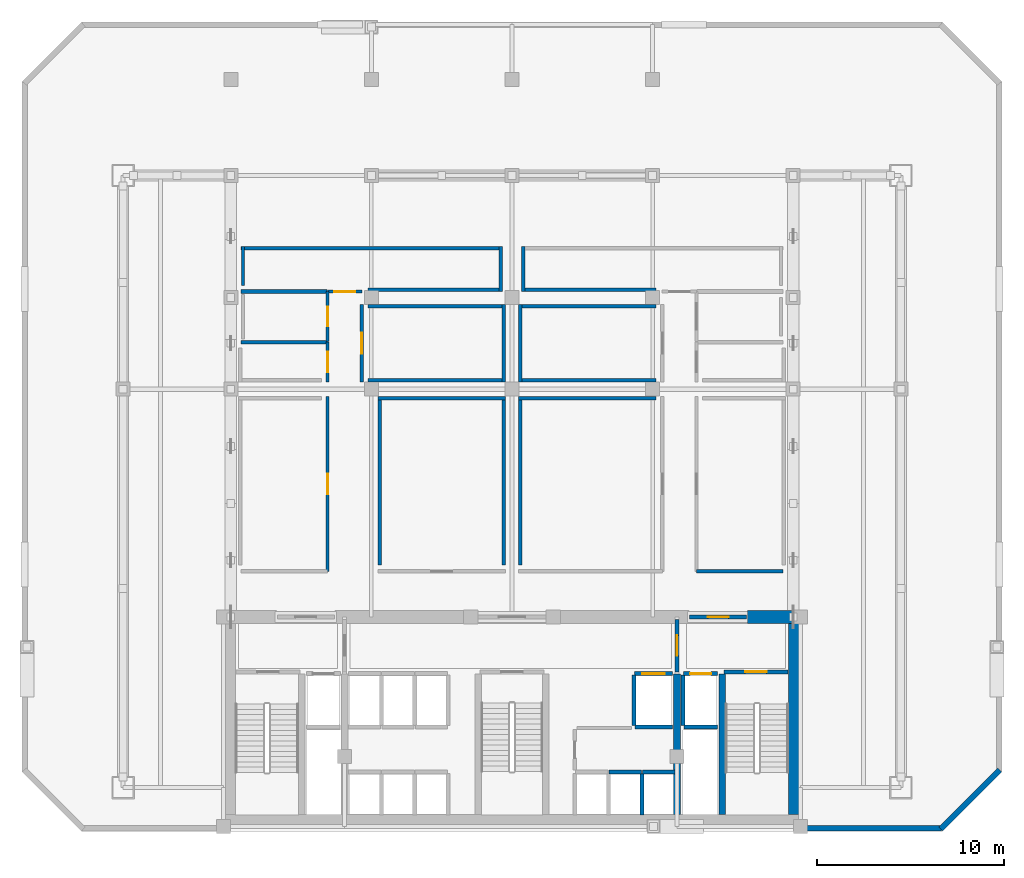
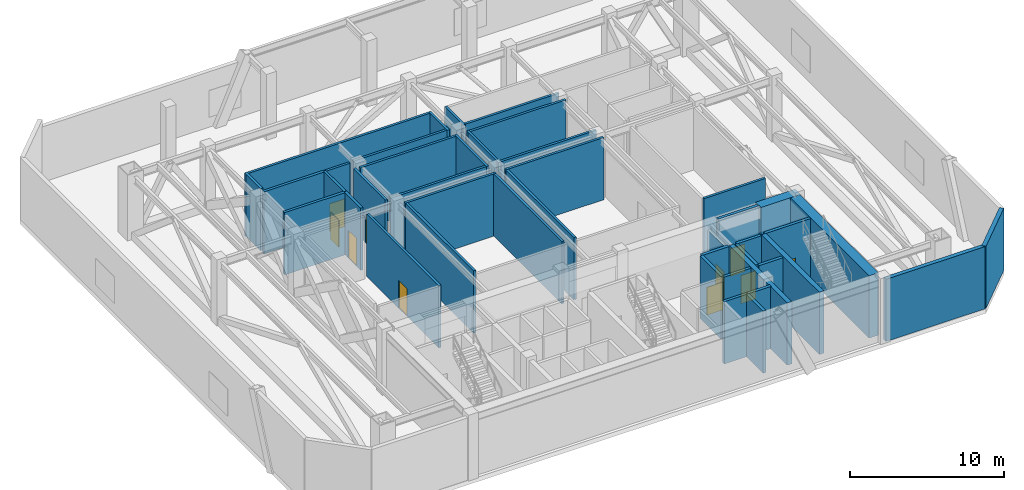
# One storey, part 6 of 10: 43 walls, 10 doors, 10 openings.
"""IFC4 building model written with IfcOpenShell, lengths in metres."""

from ifc_helpers import new_model, si_unit, direction, frame, frame_2d, origin, place, context, subcontext, project, spatial, rectangle, extrude, material, layer, layer_set, type_object, element, fill, save


model = new_model("IFC4")

# Units and contexts
model_context = context("Model", 3, precision=1e-05, world=origin(), true_north=direction((0.0, 1.0)))
body_context = subcontext(model_context, "Body", "Model", "MODEL_VIEW")
ifc_project = project(units=[si_unit("LENGTHUNIT", "METRE"), si_unit("AREAUNIT", "SQUARE_METRE"), si_unit("VOLUMEUNIT", "CUBIC_METRE"), si_unit("PLANEANGLEUNIT", "RADIAN"), si_unit("MASSUNIT", "GRAM", prefix="KILO")], contexts=[model_context])

# Site, building, storey
site_placement = place(None, origin())
site = spatial("IfcSite", under=ifc_project, at=site_placement, CompositionType="ELEMENT")
building_placement = place(site_placement, origin())
building = spatial("IfcBuilding", under=site, at=building_placement, Name="Ventersveld Concourse Tower", CompositionType="ELEMENT")
storey_placement = place(building_placement, frame((0.0, 0.0, 134.949951171875)))
storey = spatial("IfcBuildingStorey", under=building, at=storey_placement, Name="L33", CompositionType="ELEMENT", Elevation=134.949951171875)

# Walls
ifc_material_1 = material(Name="Concrete C60/75", Category="concrete")
ifc_layer_1 = layer(ifc_material_1, 0.35009765625)
ifc_layer_set_1 = layer_set([ifc_layer_1], Name="Concrete C60/75")
wall_type_1 = type_object("IfcWallType", Name="WL-CORE-350L", PredefinedType="SHEAR", material=ifc_layer_set_1)
for number, where, z_axis, x_axis, name in (
    (1, (37.550048828125, 0.919921875, 0.0), (0.0, 0.0, 1.0), (0.0, 1.0, 0.0), "L33 Core Internal Shear Web W-SVL-W"),
    (2, (39.9599609375, 0.919921875, 0.0), (0.0, 0.0, 1.0), (0.0, 1.0, 0.0), "L33 Core Internal Shear Web W-ST2-W"),
):
    element("IfcWall", number, at=place(storey_placement, frame(where, z_axis=z_axis, x_axis=x_axis)), inside=storey, type_object=wall_type_1, Name=name, PredefinedType="SHEAR", context=body_context, shape_type="SweptSolid", body=[
        extrude(rectangle(XDim=7.5, YDim=0.35009765625, at=frame_2d((3.75, 0.0))), origin(), (0.0, 0.0, 1.0), 4.920166015625),
    ])
ifc_layer_2 = layer(ifc_material_1, 0.699951171875)
ifc_layer_set_2 = layer_set([ifc_layer_2], Name="Concrete C60/75")
wall_type_2 = type_object("IfcWallType", Name="WL-CORE-700", PredefinedType="SHEAR", material=ifc_layer_set_2)
wall_1_placement = place(storey_placement, frame((43.85009765625, 0.919921875, 0.0), z_axis=(0.0, 0.0, 1.0), x_axis=(0.0, 1.0, 0.0)))
element("IfcWall", 3, at=wall_1_placement, inside=storey, type_object=wall_type_2, Name="L33 Rear Core East Shear Wall", PredefinedType="SHEAR", context=body_context, shape_type="SweptSolid", body=[
    extrude(rectangle(XDim=10.530029296875, YDim=0.699951171875, at=frame_2d((5.26513671875, 0.0))), origin(), (0.0, 0.0, 1.0), 4.920166015625),
])
wall_2_placement = place(storey_placement, frame((41.300048828125, 11.449951171875, 0.0), z_axis=(0.0, 0.0, 1.0), x_axis=(1.0, 0.0, 0.0)))
element("IfcWall", 4, at=wall_2_placement, inside=storey, type_object=wall_type_2, Name="L33 Rear Core North Shear Wall NE", PredefinedType="SHEAR", context=body_context, shape_type="SweptSolid", body=[
    extrude(rectangle(XDim=2.949951171875, YDim=0.699951171875, at=frame_2d((1.47509765625, 0.0))), origin(), (0.0, 0.0, 1.0), 4.920166015625),
])

# Wall, opening, door
ifc_material_2 = material(Name="Fire-rated autoclaved aerated masonry blockwork", Category="masonry")
ifc_layer_3 = layer(ifc_material_2, 0.179931640625)
ifc_layer_set_3 = layer_set([ifc_layer_3], Name="Fire-rated autoclaved aerated masonry blockwork")
wall_type_3 = type_object("IfcWallType", Name="WL-CORR-180", PredefinedType="PARTITIONING", material=ifc_layer_set_3)
wall_3_placement = place(storey_placement, frame((18.909912109375, 13.885009765625, 0.0), z_axis=(0.0, 0.0, 1.0), x_axis=(0.0, 1.0, 0.0)))
wall_3 = element("IfcWall", 5, at=wall_3_placement, inside=storey, type_object=wall_type_3, Name="L33 Interior Partition SP-L33-PCOR-SP-L33-REF-1", PredefinedType="PARTITIONING", context=body_context, shape_type="SweptSolid", body=[
    extrude(rectangle(XDim=9.330078125, YDim=0.179931640625, at=frame_2d((4.6650390625, 0.0))), origin(), (0.0, 0.0, 1.0), 4.920166015625),
])
opening_1_placement = place(wall_3_placement, frame((4.114990234375, 0.0, 0.0)))
opening_1 = element("IfcOpeningElement", 6, at=opening_1_placement, cuts=wall_3, Name="Opening FD2", PredefinedType="OPENING", context=body_context, shape_type="SweptSolid", body=[
    extrude(rectangle(XDim=1.10009765625, YDim=2.199951171875, at=frame_2d((0.550048828125, 1.10009765625))), frame((0.0, 0.10009765625, 0.0), z_axis=(0.0, -1.0, 0.0), x_axis=(1.0, 0.0, 0.0)), (0.0, 0.0, 1.0), 0.199951171875),
])
ifc_material_3 = material(Name="Galvanised painted steel", Category="steel")
door_type_1 = type_object("IfcDoorType", Name="DR-FFL-110", OperationType="NOTDEFINED", PredefinedType="DOOR", material=ifc_material_3)
door_1_placement = place(opening_1_placement, origin())
door_1 = element("IfcDoor", 7, at=door_1_placement, inside=storey, type_object=door_type_1, Name="L33 Interior Door SP-L33-PCOR to SP-L33-REF-1 (FD-L33-1643)", OperationType="SINGLE_SWING_LEFT", OverallHeight=2.199951171875, OverallWidth=1.10009765625, PredefinedType="DOOR", context=body_context, shape_type="SweptSolid", body=[
    extrude(rectangle(XDim=1.10009765625, YDim=2.199951171875, at=frame_2d((0.550048828125, 1.10009765625))), frame((0.0, 0.02490234375, 0.0), z_axis=(0.0, -1.0, 0.0), x_axis=(1.0, 0.0, 0.0)), (0.0, 0.0, 1.0), 0.050048828125),
])
fill(opening_1, door_1)

# Wall
wall_4_placement = place(storey_placement, frame((38.5849609375, 13.889892578125, 0.0), z_axis=(0.0, 0.0, 1.0), x_axis=(1.0, 0.0, 0.0)))
element("IfcWall", 8, at=wall_4_placement, inside=storey, type_object=wall_type_3, Name="L33 Interior Partition SP-L33-PCOR-SP-L33-REF-4", PredefinedType="PARTITIONING", context=body_context, shape_type="SweptSolid", body=[
    extrude(rectangle(XDim=4.610107421875, YDim=0.179931640625, at=frame_2d((2.30517578125, 0.0))), origin(), (0.0, 0.0, 1.0), 4.920166015625),
])

# Wall, opening, door
wall_5_placement = place(storey_placement, frame((20.739990234375, 23.985107421875, 0.0), z_axis=(0.0, 0.0, 1.0), x_axis=(0.0, 1.0, 0.0)))
wall_5 = element("IfcWall", 9, at=wall_5_placement, inside=storey, type_object=wall_type_3, Name="L33 Interior Partition SP-L33-PCOR-SP-L33-REF-5", PredefinedType="PARTITIONING", context=body_context, shape_type="SweptSolid", body=[
    extrude(rectangle(XDim=4.1298828125, YDim=0.179931640625, at=frame_2d((2.06494140625, 0.0))), origin(), (0.0, 0.0, 1.0), 4.920166015625),
])
opening_2_placement = place(wall_5_placement, frame((1.514892578125, 0.0, 0.0)))
opening_2 = element("IfcOpeningElement", 10, at=opening_2_placement, cuts=wall_5, Name="Opening FD2", PredefinedType="OPENING", context=body_context, shape_type="SweptSolid", body=[
    extrude(rectangle(XDim=1.10009765625, YDim=2.199951171875, at=frame_2d((0.550048828125, 1.10009765625))), frame((0.0, 0.10009765625, 0.0), z_axis=(0.0, -1.0, 0.0), x_axis=(1.0, 0.0, 0.0)), (0.0, 0.0, 1.0), 0.199951171875),
])
door_2_placement = place(opening_2_placement, origin())
door_2 = element("IfcDoor", 11, at=door_2_placement, inside=storey, type_object=door_type_1, Name="L33 Interior Door SP-L33-PCOR to SP-L33-REF-5 (FD-L33-1647)", OperationType="SINGLE_SWING_LEFT", OverallHeight=2.199951171875, OverallWidth=1.10009765625, PredefinedType="DOOR", context=body_context, shape_type="SweptSolid", body=[
    extrude(rectangle(XDim=1.10009765625, YDim=2.199951171875, at=frame_2d((0.550048828125, 1.10009765625))), frame((0.0, 0.02490234375, 0.0), z_axis=(0.0, -1.0, 0.0), x_axis=(1.0, 0.0, 0.0)), (0.0, 0.0, 1.0), 0.050048828125),
])
fill(opening_2, door_2)

wall_6_placement = place(storey_placement, frame((18.905029296875, 28.81005859375, 0.0), z_axis=(0.0, 0.0, 1.0), x_axis=(1.0, 0.0, 0.0)))
wall_6 = element("IfcWall", 12, at=wall_6_placement, inside=storey, type_object=wall_type_3, Name="L33 Interior Partition SP-L33-PCOR-SP-L33-REF-7", PredefinedType="PARTITIONING", context=body_context, shape_type="SweptSolid", body=[
    extrude(rectangle(XDim=1.840087890625, YDim=0.179931640625, at=frame_2d((0.919921875, 0.0))), origin(), (0.0, 0.0, 1.0), 4.920166015625),
])
opening_3_placement = place(wall_6_placement, frame((0.3701171875, 0.0, 0.0)))
opening_3 = element("IfcOpeningElement", 13, at=opening_3_placement, cuts=wall_6, Name="Opening FD2", PredefinedType="OPENING", context=body_context, shape_type="SweptSolid", body=[
    extrude(rectangle(XDim=1.10009765625, YDim=2.199951171875, at=frame_2d((0.550048828125, 1.10009765625))), frame((0.0, 0.10009765625, 0.0), z_axis=(0.0, -1.0, 0.0), x_axis=(1.0, 0.0, 0.0)), (0.0, 0.0, 1.0), 0.199951171875),
])
door_3_placement = place(opening_3_placement, origin())
door_3 = element("IfcDoor", 14, at=door_3_placement, inside=storey, type_object=door_type_1, Name="L33 Interior Door SP-L33-PCOR to SP-L33-REF-7 (FD-L33-1649)", OperationType="SINGLE_SWING_LEFT", OverallHeight=2.199951171875, OverallWidth=1.10009765625, PredefinedType="DOOR", context=body_context, shape_type="SweptSolid", body=[
    extrude(rectangle(XDim=1.10009765625, YDim=2.199951171875, at=frame_2d((0.550048828125, 1.10009765625))), frame((0.0, 0.02490234375, 0.0), z_axis=(0.0, -1.0, 0.0), x_axis=(1.0, 0.0, 0.0)), (0.0, 0.0, 1.0), 0.050048828125),
])
fill(opening_3, door_3)

wall_7_placement = place(storey_placement, frame((18.909912109375, 23.985107421875, 0.0), z_axis=(0.0, 0.0, 1.0), x_axis=(0.0, 1.0, 0.0)))
wall_7 = element("IfcWall", 15, at=wall_7_placement, inside=storey, type_object=wall_type_3, Name="L33 Interior Partition SP-L33-PCOR-SP-L33-REF-9", PredefinedType="PARTITIONING", context=body_context, shape_type="SweptSolid", body=[
    extrude(rectangle(XDim=2.1298828125, YDim=0.179931640625, at=frame_2d((1.06494140625, 0.0))), origin(), (0.0, 0.0, 1.0), 4.920166015625),
])
opening_4_placement = place(wall_7_placement, frame((0.514892578125, 0.0, 0.0)))
opening_4 = element("IfcOpeningElement", 16, at=opening_4_placement, cuts=wall_7, Name="Opening FD2", PredefinedType="OPENING", context=body_context, shape_type="SweptSolid", body=[
    extrude(rectangle(XDim=1.10009765625, YDim=2.199951171875, at=frame_2d((0.550048828125, 1.10009765625))), frame((0.0, 0.10009765625, 0.0), z_axis=(0.0, -1.0, 0.0), x_axis=(1.0, 0.0, 0.0)), (0.0, 0.0, 1.0), 0.199951171875),
])
door_4_placement = place(opening_4_placement, origin())
door_4 = element("IfcDoor", 17, at=door_4_placement, inside=storey, type_object=door_type_1, Name="L33 Interior Door SP-L33-PCOR to SP-L33-REF-9 (FD-L33-1651)", OperationType="SINGLE_SWING_LEFT", OverallHeight=2.199951171875, OverallWidth=1.10009765625, PredefinedType="DOOR", context=body_context, shape_type="SweptSolid", body=[
    extrude(rectangle(XDim=1.10009765625, YDim=2.199951171875, at=frame_2d((0.550048828125, 1.10009765625))), frame((0.0, 0.02490234375, 0.0), z_axis=(0.0, -1.0, 0.0), x_axis=(1.0, 0.0, 0.0)), (0.0, 0.0, 1.0), 0.050048828125),
])
fill(opening_4, door_4)

wall_8_placement = place(storey_placement, frame((18.909912109375, 26.14501953125, 0.0), z_axis=(0.0, 0.0, 1.0), x_axis=(0.0, 1.0, 0.0)))
wall_8 = element("IfcWall", 18, at=wall_8_placement, inside=storey, type_object=wall_type_3, Name="L33 Interior Partition SP-L33-PCOR-SP-L33-AWC", PredefinedType="PARTITIONING", context=body_context, shape_type="SweptSolid", body=[
    extrude(rectangle(XDim=2.669921875, YDim=0.179931640625, at=frame_2d((1.3349609375, 0.0))), origin(), (0.0, 0.0, 1.0), 4.920166015625),
])
opening_5_placement = place(wall_8_placement, frame((0.81005859375, 0.0, 0.0)))
opening_5 = element("IfcOpeningElement", 19, at=opening_5_placement, cuts=wall_8, Name="Opening ID3", PredefinedType="OPENING", context=body_context, shape_type="SweptSolid", body=[
    extrude(rectangle(XDim=1.050048828125, YDim=2.14990234375, at=frame_2d((0.52490234375, 1.074951171875))), frame((0.0, 0.10009765625, 0.0), z_axis=(0.0, -1.0, 0.0), x_axis=(1.0, 0.0, 0.0)), (0.0, 0.0, 1.0), 0.199951171875),
])
ifc_material_4 = material(Name="Solid-core hardwood veneer timber", Category="wood")
door_type_2 = type_object("IfcDoorType", Name="DR-AWC-105", OperationType="NOTDEFINED", PredefinedType="DOOR", material=ifc_material_4)
door_5_placement = place(opening_5_placement, origin())
door_5 = element("IfcDoor", 20, at=door_5_placement, inside=storey, type_object=door_type_2, Name="L33 Interior Door SP-L33-PCOR to SP-L33-AWC (WD-L33-1653)", OperationType="SINGLE_SWING_LEFT", OverallHeight=2.14990234375, OverallWidth=1.050048828125, PredefinedType="DOOR", context=body_context, shape_type="SweptSolid", body=[
    extrude(rectangle(XDim=1.050048828125, YDim=2.14990234375, at=frame_2d((0.52490234375, 1.074951171875))), frame((0.0, 0.02490234375, 0.0), z_axis=(0.0, -1.0, 0.0), x_axis=(1.0, 0.0, 0.0)), (0.0, 0.0, 1.0), 0.050048828125),
])
fill(opening_5, door_5)

# Walls
wall_9_placement = place(storey_placement, frame((28.300048828125, 14.215087890625, 0.0), z_axis=(0.0, 0.0, 1.0), x_axis=(0.0, 1.0, 0.0)))
element("IfcWall", 21, at=wall_9_placement, inside=storey, type_object=wall_type_3, Name="L33 Room Enclosure Wall SP-L33-REF-2", PredefinedType="PARTITIONING", context=body_context, shape_type="SweptSolid", body=[
    extrude(rectangle(XDim=9.0, YDim=0.179931640625, at=frame_2d((4.5, 0.0))), origin(), (0.0, 0.0, 1.0), 4.920166015625),
])
wall_10_placement = place(storey_placement, frame((28.39501953125, 23.1201171875, 0.0), z_axis=(0.0, 0.0, 1.0), x_axis=(-1.0, 0.0, 0.0)))
element("IfcWall", 22, at=wall_10_placement, inside=storey, type_object=wall_type_3, Name="L33 Room Enclosure Wall SP-L33-REF-2", PredefinedType="PARTITIONING", context=body_context, shape_type="SweptSolid", body=[
    extrude(rectangle(XDim=6.7900390625, YDim=0.179931640625, at=frame_2d((3.39501953125, 0.0))), origin(), (0.0, 0.0, 1.0), 4.920166015625),
])
wall_11_placement = place(storey_placement, frame((21.699951171875, 23.215087890625, 0.0), z_axis=(0.0, 0.0, 1.0), x_axis=(0.0, -1.0, 0.0)))
element("IfcWall", 23, at=wall_11_placement, inside=storey, type_object=wall_type_3, Name="L33 Room Enclosure Wall SP-L33-REF-2", PredefinedType="PARTITIONING", context=body_context, shape_type="SweptSolid", body=[
    extrude(rectangle(XDim=9.0, YDim=0.179931640625, at=frame_2d((4.5, 0.0))), origin(), (0.0, 0.0, 1.0), 4.920166015625),
])
wall_12_placement = place(storey_placement, frame((36.43505859375, 23.1201171875, 0.0), z_axis=(0.0, 0.0, 1.0), x_axis=(-1.0, 0.0, 0.0)))
element("IfcWall", 24, at=wall_12_placement, inside=storey, type_object=wall_type_3, Name="L33 Room Enclosure Wall SP-L33-REF-3", PredefinedType="PARTITIONING", context=body_context, shape_type="SweptSolid", body=[
    extrude(rectangle(XDim=7.330078125, YDim=0.179931640625, at=frame_2d((3.6650390625, 0.0))), origin(), (0.0, 0.0, 1.0), 4.920166015625),
])
wall_13_placement = place(storey_placement, frame((29.199951171875, 23.215087890625, 0.0), z_axis=(0.0, 0.0, 1.0), x_axis=(0.0, -1.0, 0.0)))
element("IfcWall", 25, at=wall_13_placement, inside=storey, type_object=wall_type_3, Name="L33 Room Enclosure Wall SP-L33-REF-3", PredefinedType="PARTITIONING", context=body_context, shape_type="SweptSolid", body=[
    extrude(rectangle(XDim=9.0, YDim=0.179931640625, at=frame_2d((4.5, 0.0))), origin(), (0.0, 0.0, 1.0), 4.920166015625),
])
wall_14_placement = place(storey_placement, frame((21.06494140625, 24.080078125, 0.0), z_axis=(0.0, 0.0, 1.0), x_axis=(1.0, 0.0, 0.0)))
element("IfcWall", 26, at=wall_14_placement, inside=storey, type_object=wall_type_3, Name="L33 Room Enclosure Wall SP-L33-REF-5", PredefinedType="PARTITIONING", context=body_context, shape_type="SweptSolid", body=[
    extrude(rectangle(XDim=7.330078125, YDim=0.179931640625, at=frame_2d((3.6650390625, 0.0))), origin(), (0.0, 0.0, 1.0), 4.920166015625),
])
wall_15_placement = place(storey_placement, frame((28.300048828125, 23.985107421875, 0.0), z_axis=(0.0, 0.0, 1.0), x_axis=(0.0, 1.0, 0.0)))
element("IfcWall", 27, at=wall_15_placement, inside=storey, type_object=wall_type_3, Name="L33 Room Enclosure Wall SP-L33-REF-5", PredefinedType="PARTITIONING", context=body_context, shape_type="SweptSolid", body=[
    extrude(rectangle(XDim=4.1298828125, YDim=0.179931640625, at=frame_2d((2.06494140625, 0.0))), origin(), (0.0, 0.0, 1.0), 4.920166015625),
])
for number, where, z_axis, x_axis, name in (
    (28, (28.39501953125, 28.02001953125, 0.0), (0.0, 0.0, 1.0), (-1.0, 0.0, 0.0), "L33 Room Enclosure Wall SP-L33-REF-5"),
    (29, (29.10498046875, 24.080078125, 0.0), (0.0, 0.0, 1.0), (1.0, 0.0, 0.0), "L33 Room Enclosure Wall SP-L33-REF-6"),
    (30, (36.43505859375, 28.02001953125, 0.0), (0.0, 0.0, 1.0), (-1.0, 0.0, 0.0), "L33 Room Enclosure Wall SP-L33-REF-6"),
):
    element("IfcWall", number, at=place(storey_placement, frame(where, z_axis=z_axis, x_axis=x_axis)), inside=storey, type_object=wall_type_3, Name=name, PredefinedType="PARTITIONING", context=body_context, shape_type="SweptSolid", body=[
        extrude(rectangle(XDim=7.330078125, YDim=0.179931640625, at=frame_2d((3.6650390625, 0.0))), origin(), (0.0, 0.0, 1.0), 4.920166015625),
    ])
wall_16_placement = place(storey_placement, frame((29.199951171875, 28.114990234375, 0.0), z_axis=(0.0, 0.0, 1.0), x_axis=(0.0, -1.0, 0.0)))
element("IfcWall", 31, at=wall_16_placement, inside=storey, type_object=wall_type_3, Name="L33 Room Enclosure Wall SP-L33-REF-6", PredefinedType="PARTITIONING", context=body_context, shape_type="SweptSolid", body=[
    extrude(rectangle(XDim=4.1298828125, YDim=0.179931640625, at=frame_2d((2.06494140625, 0.0))), origin(), (0.0, 0.0, 1.0), 4.920166015625),
])
wall_17_placement = place(storey_placement, frame((21.059814453125, 28.89990234375, 0.0), z_axis=(0.0, 0.0, 1.0), x_axis=(1.0, 0.0, 0.0)))
element("IfcWall", 32, at=wall_17_placement, inside=storey, type_object=wall_type_3, Name="L33 Room Enclosure Wall SP-L33-REF-7", PredefinedType="PARTITIONING", context=body_context, shape_type="SweptSolid", body=[
    extrude(rectangle(XDim=7.185302734375, YDim=0.179931640625, at=frame_2d((3.5927734375, 0.0))), origin(), (0.0, 0.0, 1.0), 4.920166015625),
])
wall_18_placement = place(storey_placement, frame((28.14990234375, 28.804931640625, 0.0), z_axis=(0.0, 0.0, 1.0), x_axis=(0.0, 1.0, 0.0)))
element("IfcWall", 33, at=wall_18_placement, inside=storey, type_object=wall_type_3, Name="L33 Room Enclosure Wall SP-L33-REF-7", PredefinedType="PARTITIONING", context=body_context, shape_type="SweptSolid", body=[
    extrude(rectangle(XDim=2.400146484375, YDim=0.179931640625, at=frame_2d((1.2001953125, 0.0))), origin(), (0.0, 0.0, 1.0), 4.920166015625),
])
wall_19_placement = place(storey_placement, frame((28.2451171875, 31.110107421875, 0.0), z_axis=(0.0, 0.0, 1.0), x_axis=(-1.0, 0.0, 0.0)))
element("IfcWall", 34, at=wall_19_placement, inside=storey, type_object=wall_type_3, Name="L33 Room Enclosure Wall SP-L33-REF-7", PredefinedType="PARTITIONING", context=body_context, shape_type="SweptSolid", body=[
    extrude(rectangle(XDim=13.940185546875, YDim=0.179931640625, at=frame_2d((6.97021484375, 0.0))), origin(), (0.0, 0.0, 1.0), 4.920166015625),
])
wall_20_placement = place(storey_placement, frame((14.39990234375, 31.205078125, 0.0), z_axis=(0.0, 0.0, 1.0), x_axis=(0.0, -1.0, 0.0)))
element("IfcWall", 35, at=wall_20_placement, inside=storey, type_object=wall_type_3, Name="L33 Room Enclosure Wall SP-L33-REF-7", PredefinedType="PARTITIONING", context=body_context, shape_type="SweptSolid", body=[
    extrude(rectangle(XDim=2.070068359375, YDim=0.179931640625, at=frame_2d((1.03515625, 0.0))), origin(), (0.0, 0.0, 1.0), 4.920166015625),
])
wall_21_placement = place(storey_placement, frame((29.2548828125, 28.89990234375, 0.0), z_axis=(0.0, 0.0, 1.0), x_axis=(1.0, 0.0, 0.0)))
element("IfcWall", 36, at=wall_21_placement, inside=storey, type_object=wall_type_3, Name="L33 Room Enclosure Wall SP-L33-REF-8", PredefinedType="PARTITIONING", context=body_context, shape_type="SweptSolid", body=[
    extrude(rectangle(XDim=7.185302734375, YDim=0.179931640625, at=frame_2d((3.5927734375, 0.0))), origin(), (0.0, 0.0, 1.0), 4.920166015625),
])
wall_22_placement = place(storey_placement, frame((29.35009765625, 31.205078125, 0.0), z_axis=(0.0, 0.0, 1.0), x_axis=(0.0, -1.0, 0.0)))
element("IfcWall", 37, at=wall_22_placement, inside=storey, type_object=wall_type_3, Name="L33 Room Enclosure Wall SP-L33-REF-8", PredefinedType="PARTITIONING", context=body_context, shape_type="SweptSolid", body=[
    extrude(rectangle(XDim=2.400146484375, YDim=0.179931640625, at=frame_2d((1.2001953125, 0.0))), origin(), (0.0, 0.0, 1.0), 4.920166015625),
])
ifc_layer_4 = layer(ifc_material_2, 0.199951171875)
ifc_layer_set_4 = layer_set([ifc_layer_4], Name="Fire-rated autoclaved aerated masonry blockwork")
wall_type_4 = type_object("IfcWallType", Name="WL-DEMISE-200", PredefinedType="PARTITIONING", material=ifc_layer_set_4)
wall_23_placement = place(storey_placement, frame((14.304931640625, 28.81005859375, 0.0), z_axis=(0.0, 0.0, 1.0), x_axis=(1.0, 0.0, 0.0)))
element("IfcWall", 38, at=wall_23_placement, inside=storey, type_object=wall_type_4, Name="L33 Interior Partition SP-L33-REF-7-SP-L33-AWC", PredefinedType="PARTITIONING", context=body_context, shape_type="SweptSolid", body=[
    extrude(rectangle(XDim=4.570068359375, YDim=0.199951171875, at=frame_2d((2.28515625, 0.0))), origin(), (0.0, 0.0, 1.0), 4.920166015625),
])
wall_24_placement = place(storey_placement, frame((14.304931640625, 26.110107421875, 0.0), z_axis=(0.0, 0.0, 1.0), x_axis=(1.0, 0.0, 0.0)))
element("IfcWall", 39, at=wall_24_placement, inside=storey, type_object=wall_type_4, Name="L33 Interior Partition SP-L33-REF-9-SP-L33-AWC", PredefinedType="PARTITIONING", context=body_context, shape_type="SweptSolid", body=[
    extrude(rectangle(XDim=4.610107421875, YDim=0.199951171875, at=frame_2d((2.30517578125, 0.0))), origin(), (0.0, 0.0, 1.0), 4.920166015625),
])
ifc_layer_5 = layer(ifc_material_2, 0.219970703125)
ifc_layer_set_5 = layer_set([ifc_layer_5], Name="Fire-rated autoclaved aerated masonry blockwork")
wall_type_5 = type_object("IfcWallType", Name="WL-HOIST-220", PredefinedType="SOLIDWALL", material=ifc_layer_set_5)
wall_25_placement = place(storey_placement, frame((37.919921875, 5.590087890625, 0.0), z_axis=(0.0, 0.0, 1.0), x_axis=(1.0, 0.0, 0.0)))
element("IfcWall", 40, at=wall_25_placement, inside=storey, type_object=wall_type_5, Name="L33 Lift Hoistway Back Wall FFL-02", PredefinedType="SOLIDWALL", context=body_context, shape_type="SweptSolid", body=[
    extrude(rectangle(XDim=1.780029296875, YDim=0.219970703125, at=frame_2d((0.89013671875, 0.0))), origin(), (0.0, 0.0, 1.0), 4.920166015625),
])
wall_26_placement = place(storey_placement, frame((37.8798828125, 5.64990234375, 0.0), z_axis=(0.0, 0.0, 1.0), x_axis=(0.0, 1.0, 0.0)))
element("IfcWall", 41, at=wall_26_placement, inside=storey, type_object=wall_type_5, Name="L33 Lift Hoistway Side Wall FFL-02W", PredefinedType="SOLIDWALL", context=body_context, shape_type="SweptSolid", body=[
    extrude(rectangle(XDim=2.7001953125, YDim=0.219970703125, at=frame_2d((1.35009765625, 0.0))), origin(), (0.0, 0.0, 1.0), 4.920166015625),
])

# Wall, opening, door
wall_27_placement = place(storey_placement, frame((37.89990234375, 8.429931640625, 0.0), z_axis=(0.0, 0.0, 1.0), x_axis=(1.0, 0.0, 0.0)))
wall_27 = element("IfcWall", 42, at=wall_27_placement, inside=storey, type_object=wall_type_5, Name="L33 Lift Hoistway Front Wall FFL-02", PredefinedType="SOLIDWALL", context=body_context, shape_type="SweptSolid", body=[
    extrude(rectangle(XDim=1.820068359375, YDim=0.219970703125, at=frame_2d((0.91015625, 0.0))), origin(), (0.0, 0.0, 1.0), 4.920166015625),
])
opening_6_placement = place(wall_27_placement, frame((0.35009765625, 0.0, 0.0)))
opening_6 = element("IfcOpeningElement", 43, at=opening_6_placement, cuts=wall_27, Name="Opening LD1", PredefinedType="OPENING", context=body_context, shape_type="SweptSolid", body=[
    extrude(rectangle(XDim=1.1201171875, YDim=2.25, at=frame_2d((0.56005859375, 1.125))), frame((0.0, 0.1201171875, 0.0), z_axis=(0.0, -1.0, 0.0), x_axis=(1.0, 0.0, 0.0)), (0.0, 0.0, 1.0), 0.239990234375),
])
ifc_material_5 = material(Name="Brushed stainless steel 316", Category="steel")
door_type_3 = type_object("IfcDoorType", Name="LD-FF-112", OperationType="SLIDING_TO_LEFT", PredefinedType="DOOR", material=ifc_material_5)
door_6_placement = place(opening_6_placement, origin())
door_6 = element("IfcDoor", 44, at=door_6_placement, inside=storey, type_object=door_type_3, Name="L33 Lift landing door FFL-02 (LD-L33-FFL-02)", OperationType="SLIDING_TO_RIGHT", OverallHeight=2.25, OverallWidth=1.1201171875, PredefinedType="DOOR", context=body_context, shape_type="SweptSolid", body=[
    extrude(rectangle(XDim=1.1201171875, YDim=2.25, at=frame_2d((0.56005859375, 1.125))), frame((0.0, 0.02490234375, 0.0), z_axis=(0.0, -1.0, 0.0), x_axis=(1.0, 0.0, 0.0)), (0.0, 0.0, 1.0), 0.050048828125),
])
fill(opening_6, door_6)

# Walls
wall_28_placement = place(storey_placement, frame((35.300048828125, 5.590087890625, 0.0), z_axis=(0.0, 0.0, 1.0), x_axis=(1.0, 0.0, 0.0)))
element("IfcWall", 45, at=wall_28_placement, inside=storey, type_object=wall_type_5, Name="L33 Lift Hoistway Back Wall SVL-01", PredefinedType="SOLIDWALL", context=body_context, shape_type="SweptSolid", body=[
    extrude(rectangle(XDim=2.0, YDim=0.219970703125, at=frame_2d((1.0, 0.0))), origin(), (0.0, 0.0, 1.0), 4.920166015625),
])
wall_29_placement = place(storey_placement, frame((35.260009765625, 5.64990234375, 0.0), z_axis=(0.0, 0.0, 1.0), x_axis=(0.0, 1.0, 0.0)))
element("IfcWall", 46, at=wall_29_placement, inside=storey, type_object=wall_type_5, Name="L33 Lift Hoistway Side Wall SVL-01W", PredefinedType="SOLIDWALL", context=body_context, shape_type="SweptSolid", body=[
    extrude(rectangle(XDim=2.7001953125, YDim=0.219970703125, at=frame_2d((1.35009765625, 0.0))), origin(), (0.0, 0.0, 1.0), 4.920166015625),
])

# Wall, opening, door
wall_30_placement = place(storey_placement, frame((35.280029296875, 8.429931640625, 0.0), z_axis=(0.0, 0.0, 1.0), x_axis=(1.0, 0.0, 0.0)))
wall_30 = element("IfcWall", 47, at=wall_30_placement, inside=storey, type_object=wall_type_5, Name="L33 Lift Hoistway Front Wall SVL-01", PredefinedType="SOLIDWALL", context=body_context, shape_type="SweptSolid", body=[
    extrude(rectangle(XDim=2.0400390625, YDim=0.219970703125, at=frame_2d((1.02001953125, 0.0))), origin(), (0.0, 0.0, 1.0), 4.920166015625),
])
opening_7_placement = place(wall_30_placement, frame((0.429931640625, 0.0, 0.0)))
opening_7 = element("IfcOpeningElement", 48, at=opening_7_placement, cuts=wall_30, Name="Opening LD2", PredefinedType="OPENING", context=body_context, shape_type="SweptSolid", body=[
    extrude(rectangle(XDim=1.179931640625, YDim=2.199951171875, at=frame_2d((0.58984375, 1.10009765625))), frame((0.0, 0.1201171875, 0.0), z_axis=(0.0, -1.0, 0.0), x_axis=(1.0, 0.0, 0.0)), (0.0, 0.0, 1.0), 0.239990234375),
])
door_type_4 = type_object("IfcDoorType", Name="LD-PAX-118", OperationType="SLIDING_TO_LEFT", PredefinedType="DOOR", material=ifc_material_5)
door_7_placement = place(opening_7_placement, origin())
door_7 = element("IfcDoor", 49, at=door_7_placement, inside=storey, type_object=door_type_4, Name="L33 Lift landing door SVL-01 (LD-L33-SVL-01)", OperationType="SLIDING_TO_LEFT", OverallHeight=2.199951171875, OverallWidth=1.179931640625, PredefinedType="DOOR", context=body_context, shape_type="SweptSolid", body=[
    extrude(rectangle(XDim=1.179931640625, YDim=2.199951171875, at=frame_2d((0.58984375, 1.10009765625))), frame((0.0, 0.02490234375, 0.0), z_axis=(0.0, -1.0, 0.0), x_axis=(1.0, 0.0, 0.0)), (0.0, 0.0, 1.0), 0.050048828125),
])
fill(opening_7, door_7)

# Walls
wall_31_placement = place(storey_placement, frame((35.679931640625, 0.89990234375, 0.0), z_axis=(0.0, 0.0, 1.0), x_axis=(0.0, 1.0, 0.0)))
element("IfcWall", 50, at=wall_31_placement, inside=storey, type_object=wall_type_5, Name="L33 Lift Hoistway Side Wall PM-02E", PredefinedType="SOLIDWALL", context=body_context, shape_type="SweptSolid", body=[
    extrude(rectangle(XDim=2.2001953125, YDim=0.219970703125, at=frame_2d((1.10009765625, 0.0))), origin(), (0.0, 0.0, 1.0), 4.920166015625),
])
for number, where, z_axis, x_axis, name in (
    (51, (33.919921875, 3.179931640625, 0.0), (0.0, 0.0, 1.0), (1.0, 0.0, 0.0), "L33 Lift Hoistway Front Wall PM-02"),
    (52, (35.699951171875, 3.179931640625, 0.0), (0.0, 0.0, 1.0), (1.0, 0.0, 0.0), "L33 Lift Hoistway Front Wall PM-03"),
):
    element("IfcWall", number, at=place(storey_placement, frame(where, z_axis=z_axis, x_axis=x_axis)), inside=storey, type_object=wall_type_5, Name=name, PredefinedType="SOLIDWALL", context=body_context, shape_type="SweptSolid", body=[
        extrude(rectangle(XDim=1.739990234375, YDim=0.219970703125, at=frame_2d((0.8701171875, 0.0))), origin(), (0.0, 0.0, 1.0), 4.920166015625),
    ])

# Wall, opening, door
wall_32_placement = place(storey_placement, frame((40.06005859375, 8.52001953125, 0.0), z_axis=(0.0, 0.0, 1.0), x_axis=(1.0, 0.0, 0.0)))
wall_32 = element("IfcWall", 53, at=wall_32_placement, inside=storey, type_object=wall_type_5, Name="L33 Escape Stair ST02 Fire Wall", PredefinedType="SOLIDWALL", context=body_context, shape_type="SweptSolid", body=[
    extrude(rectangle(XDim=3.39990234375, YDim=0.219970703125, at=frame_2d((1.699951171875, 0.0))), origin(), (0.0, 0.0, 1.0), 4.920166015625),
])
opening_8_placement = place(wall_32_placement, frame((1.125, 0.0, 0.0)))
opening_8 = element("IfcOpeningElement", 54, at=opening_8_placement, cuts=wall_32, Name="Opening FD1", PredefinedType="OPENING", context=body_context, shape_type="SweptSolid", body=[
    extrude(rectangle(XDim=1.14990234375, YDim=2.199951171875, at=frame_2d((0.574951171875, 1.10009765625))), frame((0.0, 0.1201171875, 0.0), z_axis=(0.0, -1.0, 0.0), x_axis=(1.0, 0.0, 0.0)), (0.0, 0.0, 1.0), 0.239990234375),
])
door_type_5 = type_object("IfcDoorType", Name="DR-STAIR-115", OperationType="NOTDEFINED", PredefinedType="DOOR", material=ifc_material_3)
door_8_placement = place(opening_8_placement, origin())
door_8 = element("IfcDoor", 55, at=door_8_placement, inside=storey, type_object=door_type_5, Name="L33 Escape Stair Door ST02 (SD-L33-1635)", OperationType="SINGLE_SWING_RIGHT", OverallHeight=2.199951171875, OverallWidth=1.14990234375, PredefinedType="DOOR", context=body_context, shape_type="SweptSolid", body=[
    extrude(rectangle(XDim=1.14990234375, YDim=2.199951171875, at=frame_2d((0.574951171875, 1.10009765625))), frame((0.0, 0.02490234375, 0.0), z_axis=(0.0, -1.0, 0.0), x_axis=(1.0, 0.0, 0.0)), (0.0, 0.0, 1.0), 0.050048828125),
])
fill(opening_8, door_8)

wall_33_placement = place(storey_placement, frame((37.550048828125, 8.52001953125, 0.0), z_axis=(0.0, 0.0, 1.0), x_axis=(0.0, 1.0, 0.0)))
wall_33 = element("IfcWall", 56, at=wall_33_placement, inside=storey, type_object=wall_type_5, Name="L33 Firefighting Lobby Smoke-Stop Wall FFLE-SEP", PredefinedType="SOLIDWALL", context=body_context, shape_type="SweptSolid", body=[
    extrude(rectangle(XDim=2.800048828125, YDim=0.219970703125, at=frame_2d((1.39990234375, 0.0))), origin(), (0.0, 0.0, 1.0), 4.37548828125),
])
opening_9_placement = place(wall_33_placement, frame((0.85009765625, 0.0, 0.0)))
opening_9 = element("IfcOpeningElement", 57, at=opening_9_placement, cuts=wall_33, Name="Opening FD2", PredefinedType="OPENING", context=body_context, shape_type="SweptSolid", body=[
    extrude(rectangle(XDim=1.10009765625, YDim=2.199951171875, at=frame_2d((0.550048828125, 1.10009765625))), frame((0.0, 0.1201171875, 0.0), z_axis=(0.0, -1.0, 0.0), x_axis=(1.0, 0.0, 0.0)), (0.0, 0.0, 1.0), 0.239990234375),
])
door_9_placement = place(opening_9_placement, origin())
door_9 = element("IfcDoor", 58, at=door_9_placement, inside=storey, type_object=door_type_1, Name="L33 Firefighting Lobby Door FFLE-SEP (FD-L33-1638)", OperationType="SINGLE_SWING_RIGHT", OverallHeight=2.199951171875, OverallWidth=1.10009765625, PredefinedType="DOOR", context=body_context, shape_type="SweptSolid", body=[
    extrude(rectangle(XDim=1.10009765625, YDim=2.199951171875, at=frame_2d((0.550048828125, 1.10009765625))), frame((0.0, 0.02490234375, 0.0), z_axis=(0.0, -1.0, 0.0), x_axis=(1.0, 0.0, 0.0)), (0.0, 0.0, 1.0), 0.050048828125),
])
fill(opening_9, door_9)

wall_34_placement = place(storey_placement, frame((38.22998046875, 11.449951171875, 0.0), z_axis=(0.0, 0.0, 1.0), x_axis=(1.0, 0.0, 0.0)))
wall_34 = element("IfcWall", 59, at=wall_34_placement, inside=storey, type_object=wall_type_5, Name="L33 Core North Fire Portal FFLE-OUT", PredefinedType="SOLIDWALL", context=body_context, shape_type="SweptSolid", body=[
    extrude(rectangle(XDim=3.0400390625, YDim=0.219970703125, at=frame_2d((1.52001953125, 0.0))), origin(), (0.0, 0.0, 1.0), 4.920166015625),
])
opening_10_placement = place(wall_34_placement, frame((0.969970703125, 0.0, 0.0)))
opening_10 = element("IfcOpeningElement", 60, at=opening_10_placement, cuts=wall_34, Name="Opening FD2", PredefinedType="OPENING", context=body_context, shape_type="SweptSolid", body=[
    extrude(rectangle(XDim=1.10009765625, YDim=2.199951171875, at=frame_2d((0.550048828125, 1.10009765625))), frame((0.0, 0.1201171875, 0.0), z_axis=(0.0, -1.0, 0.0), x_axis=(1.0, 0.0, 0.0)), (0.0, 0.0, 1.0), 0.239990234375),
])
door_10_placement = place(opening_10_placement, origin())
door_10 = element("IfcDoor", 61, at=door_10_placement, inside=storey, type_object=door_type_1, Name="L33 Refuge Area Entry Door (FD-L33-1641)", OperationType="SINGLE_SWING_LEFT", OverallHeight=2.199951171875, OverallWidth=1.10009765625, PredefinedType="DOOR", context=body_context, shape_type="SweptSolid", body=[
    extrude(rectangle(XDim=1.10009765625, YDim=2.199951171875, at=frame_2d((0.550048828125, 1.10009765625))), frame((0.0, 0.02490234375, 0.0), z_axis=(0.0, -1.0, 0.0), x_axis=(1.0, 0.0, 0.0)), (0.0, 0.0, 1.0), 0.050048828125),
])
fill(opening_10, door_10)

# Walls
ifc_material_6 = material(Name="Precast concrete C45/55", Category="concrete")
ifc_layer_6 = layer(ifc_material_6, 0.300048828125)
ifc_layer_set_6 = layer_set([ifc_layer_6], Name="Precast concrete C45/55")
wall_type_6 = type_object("IfcWallType", Name="WL-PREC-300", PredefinedType="SOLIDWALL", material=ifc_layer_set_6)
wall_35_placement = place(storey_placement, frame((44.25, 0.179931640625, 0.0), z_axis=(0.0, 0.0, 1.0), x_axis=(1.0, 0.0, 0.0)))
element("IfcWall", 62, at=wall_35_placement, inside=storey, type_object=wall_type_6, Name="L33 South-East Flank Precast Wall", PredefinedType="SOLIDWALL", context=body_context, shape_type="SweptSolid", body=[
    extrude(rectangle(XDim=7.409912109375, YDim=0.300048828125, at=frame_2d((3.705078125, 0.0))), origin(), (0.0, 0.0, 1.0), 4.920166015625),
])
wall_36_placement = place(storey_placement, frame((51.622314453125, 0.134521484375, 0.0), z_axis=(0.0, 0.0, 1.0), x_axis=(0.707106781187, 0.707106781187, 0.0)))
element("IfcWall", 63, at=wall_36_placement, inside=storey, type_object=wall_type_6, Name="L33 Highveld Precast Facade Wall E02", PredefinedType="SOLIDWALL", context=body_context, shape_type="SweptSolid", body=[
    extrude(rectangle(XDim=4.4453125, YDim=0.300048828125, at=frame_2d((2.22265625, 0.0))), origin(), (0.0, 0.0, 1.0), 4.920166015625),
])

save(model, "model.ifc")
